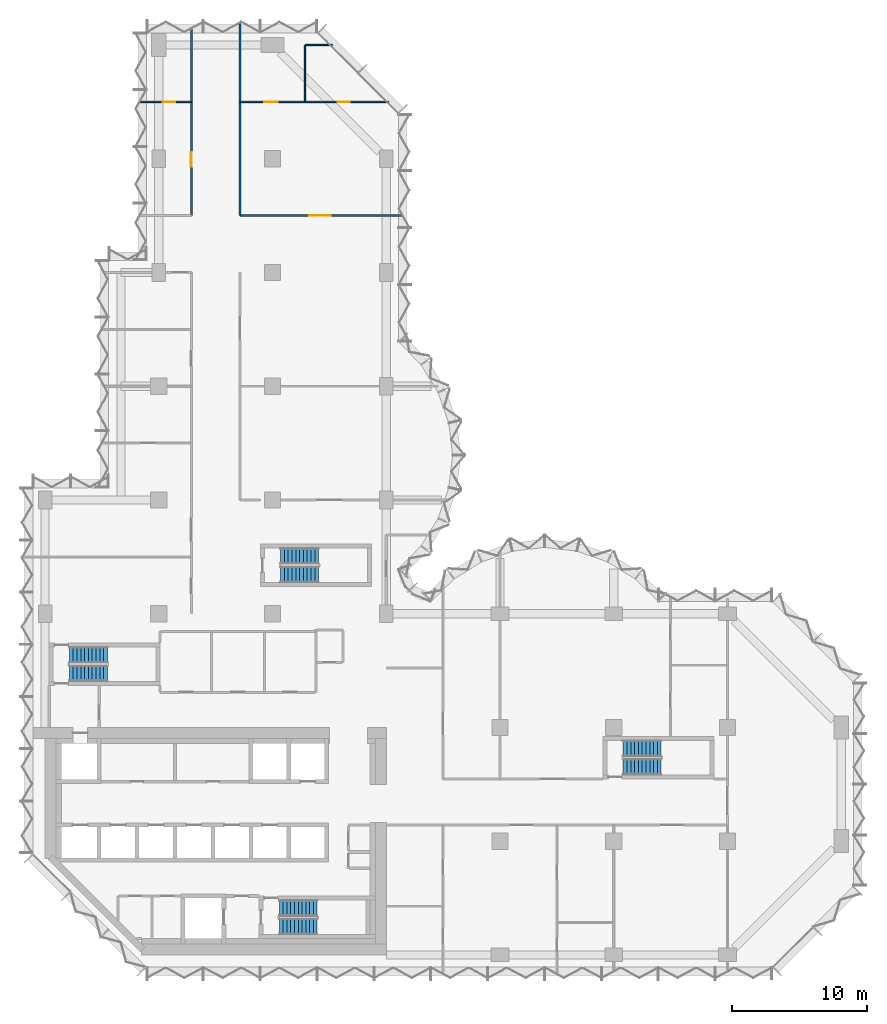
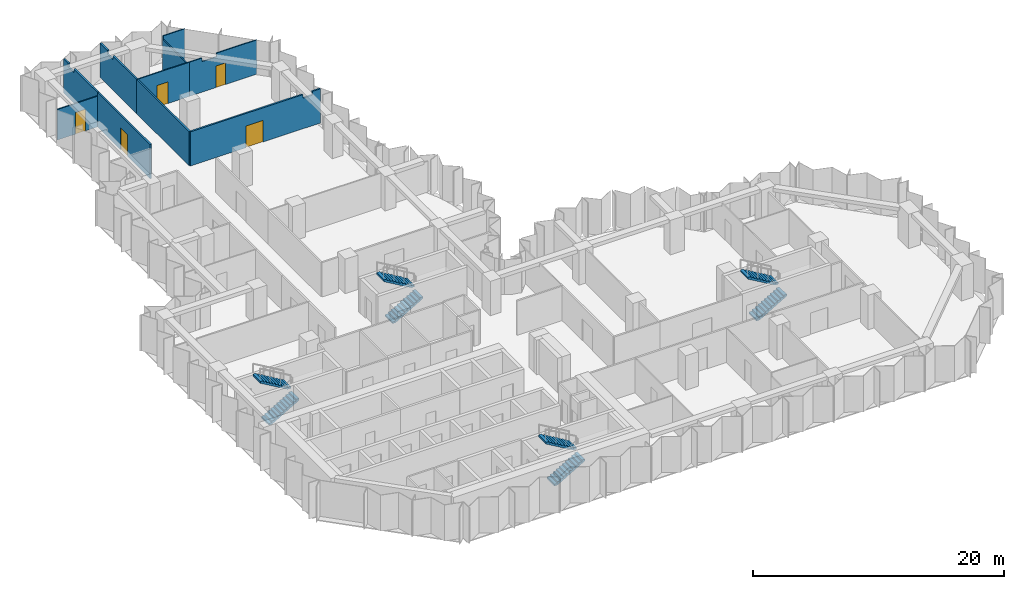
# One storey, part 9 of 11: 10 walls, 8 stair flights, 5 doors, 5 openings, 4 elements without a shape of their own.
"""IFC4 building model written with IfcOpenShell, lengths in metres."""

from ifc_helpers import new_model, si_unit, direction, frame, frame_2d, origin, place, context, subcontext, project, spatial, polyline, rectangle, outline, extrude, material, layer, layer_set, type_object, element, fill, aggregate, save


model = new_model("IFC4")

# Units and contexts
model_context = context("Model", 3, precision=1e-05, world=origin(), true_north=direction((0.0, 1.0)))
body_context = subcontext(model_context, "Body", "Model", "MODEL_VIEW")
ifc_project = project(units=[si_unit("LENGTHUNIT", "METRE"), si_unit("AREAUNIT", "SQUARE_METRE"), si_unit("VOLUMEUNIT", "CUBIC_METRE"), si_unit("PLANEANGLEUNIT", "RADIAN"), si_unit("MASSUNIT", "GRAM", prefix="KILO")], contexts=[model_context])

# Site, building, storey
site_placement = place(None, origin())
site = spatial("IfcSite", under=ifc_project, at=site_placement, CompositionType="ELEMENT")
building_placement = place(site_placement, origin())
building = spatial("IfcBuilding", under=site, at=building_placement, Name="Brevane Broadcast Tower", CompositionType="ELEMENT")
storey_placement = place(building_placement, frame((0.0, 0.0, 138.5)))
storey = spatial("IfcBuildingStorey", under=building, at=storey_placement, Name="L34", CompositionType="ELEMENT", Elevation=138.5)

# Wall, opening, door
ifc_material_1 = material(Name="Gypsum board partition")
ifc_layer_1 = layer(ifc_material_1, 0.10009765625)
ifc_layer_set_1 = layer_set([ifc_layer_1], Name="PARTITION 100 STUD")
wall_type_1 = type_object("IfcWallType", Name="PARTITION 100 STUD", PredefinedType="PARTITIONING", material=ifc_layer_set_1)
wall_1_placement = place(storey_placement, frame((7.034912109375, 63.0, 0.0), z_axis=(0.0, 0.0, 1.0), x_axis=(1.0, 0.0, 0.0)))
wall_1 = element("IfcWall", 1, at=wall_1_placement, inside=storey, type_object=wall_type_1, Name="Partition G10-060", PredefinedType="PARTITIONING", context=body_context, shape_type="SweptSolid", body=[
    extrude(rectangle(XDim=3.76513671875, YDim=0.10009765625, at=frame_2d((1.882568359375, 0.0))), origin(), (0.0, 0.0, 1.0), 2.97998046875),
])
opening_1_placement = place(wall_1_placement, frame((1.6650390625, 0.0, 0.0)))
opening_1 = element("IfcOpeningElement", 2, at=opening_1_placement, cuts=wall_1, Name="Opening D17-019", PredefinedType="OPENING", context=body_context, shape_type="SweptSolid", body=[
    extrude(rectangle(XDim=0.89990234375, YDim=2.10009765625, at=frame_2d((0.449951171875, 1.050048828125))), frame((0.0, 0.06005859375, 0.0), z_axis=(0.0, -1.0, 0.0), x_axis=(1.0, 0.0, 0.0)), (0.0, 0.0, 1.0), 0.1201171875),
])
ifc_material_2 = material(Name="Timber door leaf", Category="wood")
door_type_1 = type_object("IfcDoorType", Name="DOOR SINGLE 900 INTERNAL", OperationType="SINGLE_SWING_LEFT", PredefinedType="DOOR", material=ifc_material_2)
door_1_placement = place(opening_1_placement, origin())
door_1 = element("IfcDoor", 3, at=door_1_placement, inside=storey, type_object=door_type_1, Name="Door D17-019", OperationType="SINGLE_SWING_LEFT", OverallHeight=2.10009765625, OverallWidth=0.89990234375, PredefinedType="DOOR", context=body_context, shape_type="SweptSolid", body=[
    extrude(rectangle(XDim=0.89990234375, YDim=2.10009765625, at=frame_2d((0.449951171875, 1.050048828125))), frame((0.0, 0.02490234375, 0.0), z_axis=(0.0, -1.0, 0.0), x_axis=(1.0, 0.0, 0.0)), (0.0, 0.0, 1.0), 0.050048828125),
])
fill(opening_1, door_1)

wall_2_placement = place(storey_placement, frame((14.39990234375, 63.0, 0.0), z_axis=(0.0, 0.0, 1.0), x_axis=(1.0, 0.0, 0.0)))
wall_2 = element("IfcWall", 4, at=wall_2_placement, inside=storey, type_object=wall_type_1, Name="Partition G10-065", PredefinedType="PARTITIONING", context=body_context, shape_type="SweptSolid", body=[
    extrude(rectangle(XDim=4.800048828125, YDim=0.10009765625, at=frame_2d((2.39990234375, 0.0))), origin(), (0.0, 0.0, 1.0), 3.330078125),
])
opening_2_placement = place(wall_2_placement, frame((1.800048828125, 0.0, 0.0)))
opening_2 = element("IfcOpeningElement", 5, at=opening_2_placement, cuts=wall_2, Name="Opening D17-023", PredefinedType="OPENING", context=body_context, shape_type="SweptSolid", body=[
    extrude(rectangle(XDim=1.0, YDim=2.10009765625, at=frame_2d((0.5, 1.050048828125))), frame((0.0, 0.06005859375, 0.0), z_axis=(0.0, -1.0, 0.0), x_axis=(1.0, 0.0, 0.0)), (0.0, 0.0, 1.0), 0.1201171875),
])
door_type_2 = type_object("IfcDoorType", Name="DOOR SINGLE 1000 INTERNAL", OperationType="SINGLE_SWING_LEFT", PredefinedType="DOOR", material=ifc_material_2)
door_2_placement = place(opening_2_placement, origin())
door_2 = element("IfcDoor", 6, at=door_2_placement, inside=storey, type_object=door_type_2, Name="Door D17-023", OperationType="SINGLE_SWING_LEFT", OverallHeight=2.10009765625, OverallWidth=1.0, PredefinedType="DOOR", context=body_context, shape_type="SweptSolid", body=[
    extrude(rectangle(XDim=1.0, YDim=2.10009765625, at=frame_2d((0.5, 1.050048828125))), frame((0.0, 0.02490234375, 0.0), z_axis=(0.0, -1.0, 0.0), x_axis=(1.0, 0.0, 0.0)), (0.0, 0.0, 1.0), 0.050048828125),
])
fill(opening_2, door_2)

wall_3_placement = place(storey_placement, frame((19.199951171875, 63.0, 0.0), z_axis=(0.0, 0.0, 1.0), x_axis=(1.0, 0.0, 0.0)))
wall_3 = element("IfcWall", 7, at=wall_3_placement, inside=storey, type_object=wall_type_1, Name="Partition G10-066", PredefinedType="PARTITIONING", context=body_context, shape_type="SweptSolid", body=[
    extrude(outline(polyline([(0.0, 0.0), (6.199951171875, 0.0), (6.199951171875, 3.330078125), (2.465576171875, 3.330078125), (2.463623046875, 2.97998046875), (1.13623046875, 2.97998046875), (1.13427734375, 3.330078125), (0.0, 3.330078125), (0.0, 0.0)])), frame((0.0, 0.050048828125, 0.0), z_axis=(0.0, -1.0, 0.0), x_axis=(1.0, 0.0, 0.0)), (0.0, 0.0, 1.0), 0.10009765625),
])
opening_3_placement = place(wall_3_placement, frame((2.39990234375, 0.0, 0.0)))
opening_3 = element("IfcOpeningElement", 8, at=opening_3_placement, cuts=wall_3, Name="Opening D17-024", PredefinedType="OPENING", context=body_context, shape_type="SweptSolid", body=[
    extrude(rectangle(XDim=0.89990234375, YDim=2.10009765625, at=frame_2d((0.449951171875, 1.050048828125))), frame((0.0, 0.06005859375, 0.0), z_axis=(0.0, -1.0, 0.0), x_axis=(1.0, 0.0, 0.0)), (0.0, 0.0, 1.0), 0.1201171875),
])
door_3_placement = place(opening_3_placement, origin())
door_3 = element("IfcDoor", 9, at=door_3_placement, inside=storey, type_object=door_type_1, Name="Door D17-024", OperationType="SINGLE_SWING_LEFT", OverallHeight=2.10009765625, OverallWidth=0.89990234375, PredefinedType="DOOR", context=body_context, shape_type="SweptSolid", body=[
    extrude(rectangle(XDim=0.89990234375, YDim=2.10009765625, at=frame_2d((0.449951171875, 1.050048828125))), frame((0.0, 0.02490234375, 0.0), z_axis=(0.0, -1.0, 0.0), x_axis=(1.0, 0.0, 0.0)), (0.0, 0.0, 1.0), 0.050048828125),
])
fill(opening_3, door_3)

# Walls
wall_4_placement = place(storey_placement, frame((21.199951171875, 67.199951171875, 0.0), z_axis=(0.0, 0.0, 1.0), x_axis=(-1.0, 0.0, 0.0)))
element("IfcWall", 10, at=wall_4_placement, inside=storey, type_object=wall_type_1, Name="Partition G10-067", PredefinedType="PARTITIONING", context=body_context, shape_type="SweptSolid", body=[
    extrude(rectangle(XDim=2.0, YDim=0.10009765625, at=frame_2d((1.0, 0.0))), origin(), (0.0, 0.0, 1.0), 3.330078125),
])
wall_5_placement = place(storey_placement, frame((19.199951171875, 67.199951171875, 0.0), z_axis=(0.0, 0.0, 1.0), x_axis=(0.0, -1.0, 0.0)))
element("IfcWall", 11, at=wall_5_placement, inside=storey, type_object=wall_type_1, Name="Partition G10-068", PredefinedType="PARTITIONING", context=body_context, shape_type="SweptSolid", body=[
    extrude(rectangle(XDim=4.199951171875, YDim=0.10009765625, at=frame_2d((2.10009765625, 0.0))), origin(), (0.0, 0.0, 1.0), 2.97998046875),
])

# Wall, opening, door
ifc_layer_2 = layer(ifc_material_1, 0.14990234375)
ifc_layer_set_2 = layer_set([ifc_layer_2], Name="PARTITION 150 EI 60")
wall_type_2 = type_object("IfcWallType", Name="PARTITION 150 EI 60", PredefinedType="PARTITIONING", material=ifc_layer_set_2)
wall_6_placement = place(storey_placement, frame((10.800048828125, 54.60009765625, 0.0), z_axis=(0.0, 0.0, 1.0), x_axis=(0.0, 1.0, 0.0)))
wall_6 = element("IfcWall", 12, at=wall_6_placement, inside=storey, type_object=wall_type_2, Name="Partition G10-046", PredefinedType="PARTITIONING", context=body_context, shape_type="SweptSolid", body=[
    extrude(rectangle(XDim=8.39990234375, YDim=0.14990234375, at=frame_2d((4.199951171875, 0.0))), origin(), (0.0, 0.0, 1.0), 3.330078125),
])
opening_4_placement = place(wall_6_placement, frame((3.60009765625, 0.0, 0.0)))
opening_4 = element("IfcOpeningElement", 13, at=opening_4_placement, cuts=wall_6, Name="Opening D17-018", PredefinedType="OPENING", context=body_context, shape_type="SweptSolid", body=[
    extrude(rectangle(XDim=1.10009765625, YDim=2.10009765625, at=frame_2d((0.550048828125, 1.050048828125))), frame((0.0, 0.0849609375, 0.0), z_axis=(0.0, -1.0, 0.0), x_axis=(1.0, 0.0, 0.0)), (0.0, 0.0, 1.0), 0.169921875),
])
ifc_material_3 = material(Name="Fire-rated timber door leaf", Category="wood")
door_type_3 = type_object("IfcDoorType", Name="DOOR SINGLE 1100 FD30S", OperationType="SINGLE_SWING_LEFT", PredefinedType="DOOR", material=ifc_material_3)
door_4_placement = place(opening_4_placement, origin())
door_4 = element("IfcDoor", 14, at=door_4_placement, inside=storey, type_object=door_type_3, Name="Door D17-018", OperationType="SINGLE_SWING_LEFT", OverallHeight=2.10009765625, OverallWidth=1.10009765625, PredefinedType="DOOR", context=body_context, shape_type="SweptSolid", body=[
    extrude(rectangle(XDim=1.10009765625, YDim=2.10009765625, at=frame_2d((0.550048828125, 1.050048828125))), frame((0.0, 0.02490234375, 0.0), z_axis=(0.0, -1.0, 0.0), x_axis=(1.0, 0.0, 0.0)), (0.0, 0.0, 1.0), 0.050048828125),
])
fill(opening_4, door_4)

# Walls
wall_7_placement = place(storey_placement, frame((10.800048828125, 63.0, 0.0), z_axis=(0.0, 0.0, 1.0), x_axis=(0.0, 1.0, 0.0)))
element("IfcWall", 15, at=wall_7_placement, inside=storey, type_object=wall_type_2, Name="Partition G10-047", PredefinedType="PARTITIONING", context=body_context, shape_type="SweptSolid", body=[
    extrude(outline(polyline([(0.0, 0.0), (5.3740234375, 0.0), (5.3740234375, 3.330078125), (5.280029296875, 3.330078125), (4.64990234375, 3.330078125), (4.64794921875, 2.97998046875), (3.751953125, 2.97998046875), (3.75, 3.330078125), (0.0, 3.330078125), (0.0, 0.0)])), frame((0.0, 0.074951171875, 0.0), z_axis=(0.0, -1.0, 0.0), x_axis=(1.0, 0.0, 0.0)), (0.0, 0.0, 1.0), 0.14990234375),
])
wall_8_placement = place(storey_placement, frame((14.39990234375, 63.0, 0.0), z_axis=(0.0, 0.0, 1.0), x_axis=(0.0, -1.0, 0.0)))
element("IfcWall", 16, at=wall_8_placement, inside=storey, type_object=wall_type_2, Name="Partition G10-050", PredefinedType="PARTITIONING", context=body_context, shape_type="SweptSolid", body=[
    extrude(rectangle(XDim=8.39990234375, YDim=0.14990234375, at=frame_2d((4.199951171875, 0.0))), origin(), (0.0, 0.0, 1.0), 3.330078125),
])
wall_9_placement = place(storey_placement, frame((14.39990234375, 68.7939453125, 0.0), z_axis=(0.0, 0.0, 1.0), x_axis=(0.0, -1.0, 0.0)))
element("IfcWall", 17, at=wall_9_placement, inside=storey, type_object=wall_type_2, Name="Partition G10-051", PredefinedType="PARTITIONING", context=body_context, shape_type="SweptSolid", body=[
    extrude(outline(polyline([(0.0, 0.0), (5.7939453125, 0.0), (5.7939453125, 3.330078125), (2.0439453125, 3.330078125), (2.0419921875, 2.97998046875), (1.14599609375, 2.97998046875), (1.14404296875, 3.330078125), (0.513916015625, 3.330078125), (0.0, 3.330078125), (0.0, 0.0)])), frame((0.0, 0.074951171875, 0.0), z_axis=(0.0, -1.0, 0.0), x_axis=(1.0, 0.0, 0.0)), (0.0, 0.0, 1.0), 0.14990234375),
])

# Wall, opening, door
wall_10_placement = place(storey_placement, frame((14.39990234375, 54.60009765625, 0.0), z_axis=(0.0, 0.0, 1.0), x_axis=(1.0, 0.0, 0.0)))
wall_10 = element("IfcWall", 18, at=wall_10_placement, inside=storey, type_object=wall_type_2, Name="Partition G10-061", PredefinedType="PARTITIONING", context=body_context, shape_type="SweptSolid", body=[
    extrude(outline(polyline([(0.0, 0.0), (11.97412109375, 0.0), (11.97412109375, 3.330078125), (11.89990234375, 3.330078125), (11.25, 3.330078125), (11.248046875, 2.97998046875), (10.35205078125, 2.97998046875), (10.35009765625, 3.330078125), (0.0, 3.330078125), (0.0, 0.0)])), frame((0.0, 0.074951171875, 0.0), z_axis=(0.0, -1.0, 0.0), x_axis=(1.0, 0.0, 0.0)), (0.0, 0.0, 1.0), 0.14990234375),
])
opening_5_placement = place(wall_10_placement, frame((5.10009765625, 0.0, 0.0)))
opening_5 = element("IfcOpeningElement", 19, at=opening_5_placement, cuts=wall_10, Name="Opening D17-022", PredefinedType="OPENING", context=body_context, shape_type="SweptSolid", body=[
    extrude(rectangle(XDim=1.60009765625, YDim=2.10009765625, at=frame_2d((0.800048828125, 1.050048828125))), frame((0.0, 0.0849609375, 0.0), z_axis=(0.0, -1.0, 0.0), x_axis=(1.0, 0.0, 0.0)), (0.0, 0.0, 1.0), 0.169921875),
])
door_type_4 = type_object("IfcDoorType", Name="DOOR DOUBLE 1600 FD30S", OperationType="DOUBLE_DOOR_SINGLE_SWING", PredefinedType="DOOR", material=ifc_material_3)
door_5_placement = place(opening_5_placement, origin())
door_5 = element("IfcDoor", 20, at=door_5_placement, inside=storey, type_object=door_type_4, Name="Door D17-022", OperationType="DOUBLE_DOOR_SINGLE_SWING", OverallHeight=2.10009765625, OverallWidth=1.60009765625, PredefinedType="DOOR", context=body_context, shape_type="SweptSolid", body=[
    extrude(rectangle(XDim=1.60009765625, YDim=2.10009765625, at=frame_2d((0.800048828125, 1.050048828125))), frame((0.0, 0.02490234375, 0.0), z_axis=(0.0, -1.0, 0.0), x_axis=(1.0, 0.0, 0.0)), (0.0, 0.0, 1.0), 0.050048828125),
])
fill(opening_5, door_5)

# Stair, stair flights
ifc_material_4 = material(Name="Concrete C50/60", Category="concrete")
stair_type = type_object("IfcStairType", Name="Exit stair 22 risers", PredefinedType="HALF_TURN_STAIR", material=ifc_material_4)
stair_1_placement = place(storey_placement, origin())
stair_1 = element("IfcStair", 21, at=stair_1_placement, inside=storey, type_object=stair_type, Name="L34 Exit stair ST-1", PredefinedType="HALF_TURN_STAIR")
stair_flight_type = type_object("IfcStairFlightType", Name="Exit stair flight 22 risers", PredefinedType="STRAIGHT", material=ifc_material_4)
stair_flight_1_placement = place(storey_placement, frame((1.800048828125, 20.800048828125, 0.0), z_axis=(0.0, 0.0, 1.0), x_axis=(1.0, 0.0, 0.0)))
stair_flight_1 = element("IfcStairFlight", 22, at=stair_flight_1_placement, type_object=stair_flight_type, Name="ST-1 flight 1", NumberOfRisers=11, NumberOfTreads=10, PredefinedType="STRAIGHT", RiserHeight=0.163636364, TreadLength=0.28, context=body_context, shape_type="SweptSolid", body=[
    extrude(outline(polyline([(0.0, 0.0), (0.0, 0.16357421875), (0.280029296875, 0.16357421875), (0.280029296875, 0.327392578125), (0.56005859375, 0.327392578125), (0.56005859375, 0.490966796875), (0.840087890625, 0.490966796875), (0.840087890625, 0.654541015625), (1.1201171875, 0.654541015625), (1.1201171875, 0.818115234375), (1.39990234375, 0.818115234375), (1.39990234375, 0.98193359375), (1.679931640625, 0.98193359375), (1.679931640625, 1.1455078125), (1.9599609375, 1.1455078125), (1.9599609375, 1.30908203125), (2.239990234375, 1.30908203125), (2.239990234375, 1.47265625), (2.52001953125, 1.47265625), (2.52001953125, 1.636474609375), (2.800048828125, 1.636474609375), (2.800048828125, 1.800048828125), (2.800048828125, 1.462646484375), (0.297119140625, 0.0), (0.0, 0.0)])), frame((0.0, 0.60009765625, 0.0), z_axis=(0.0, -1.0, 0.0), x_axis=(1.0, 0.0, 0.0)), (0.0, 0.0, 1.0), 1.199951171875),
])
stair_flight_2_placement = place(storey_placement, frame((4.60009765625, 22.14990234375, 1.800048828125), z_axis=(0.0, 0.0, 1.0), x_axis=(-1.0, 0.0, 0.0)))
stair_flight_2 = element("IfcStairFlight", 23, at=stair_flight_2_placement, type_object=stair_flight_type, Name="ST-1 flight 2", NumberOfRisers=11, NumberOfTreads=10, PredefinedType="STRAIGHT", RiserHeight=0.163636364, TreadLength=0.28, context=body_context, shape_type="SweptSolid", body=[
    extrude(outline(polyline([(0.0, 0.0), (0.0, 0.16357421875), (0.280029296875, 0.16357421875), (0.280029296875, 0.327392578125), (0.56005859375, 0.327392578125), (0.56005859375, 0.490966796875), (0.840087890625, 0.490966796875), (0.840087890625, 0.654541015625), (1.1201171875, 0.654541015625), (1.1201171875, 0.818115234375), (1.39990234375, 0.818115234375), (1.39990234375, 0.98193359375), (1.679931640625, 0.98193359375), (1.679931640625, 1.1455078125), (1.9599609375, 1.1455078125), (1.9599609375, 1.30908203125), (2.239990234375, 1.30908203125), (2.239990234375, 1.47265625), (2.52001953125, 1.47265625), (2.52001953125, 1.636474609375), (2.800048828125, 1.636474609375), (2.800048828125, 1.800048828125), (2.800048828125, 1.462646484375), (0.297119140625, 0.0), (0.0, 0.0)])), frame((0.0, 0.60009765625, 0.0), z_axis=(0.0, -1.0, 0.0), x_axis=(1.0, 0.0, 0.0)), (0.0, 0.0, 1.0), 1.199951171875),
])
aggregate(stair_1, [stair_flight_1, stair_flight_2])

stair_2_placement = place(storey_placement, origin())
stair_2 = element("IfcStair", 24, at=stair_2_placement, inside=storey, type_object=stair_type, Name="L34 Exit stair ST-2", PredefinedType="HALF_TURN_STAIR")
stair_flight_3_placement = place(storey_placement, frame((17.300048828125, 2.10009765625, 0.0), z_axis=(0.0, 0.0, 1.0), x_axis=(1.0, 0.0, 0.0)))
stair_flight_3 = element("IfcStairFlight", 25, at=stair_flight_3_placement, type_object=stair_flight_type, Name="ST-2 flight 1", NumberOfRisers=11, NumberOfTreads=10, PredefinedType="STRAIGHT", RiserHeight=0.163636364, TreadLength=0.28, context=body_context, shape_type="SweptSolid", body=[
    extrude(outline(polyline([(0.0, 0.0), (0.0, 0.16357421875), (0.280029296875, 0.16357421875), (0.280029296875, 0.327392578125), (0.56005859375, 0.327392578125), (0.56005859375, 0.490966796875), (0.840087890625, 0.490966796875), (0.840087890625, 0.654541015625), (1.1201171875, 0.654541015625), (1.1201171875, 0.818115234375), (1.39990234375, 0.818115234375), (1.39990234375, 0.98193359375), (1.679931640625, 0.98193359375), (1.679931640625, 1.1455078125), (1.9599609375, 1.1455078125), (1.9599609375, 1.30908203125), (2.239990234375, 1.30908203125), (2.239990234375, 1.47265625), (2.52001953125, 1.47265625), (2.52001953125, 1.636474609375), (2.800048828125, 1.636474609375), (2.800048828125, 1.800048828125), (2.800048828125, 1.462646484375), (0.297119140625, 0.0), (0.0, 0.0)])), frame((0.0, 0.60009765625, 0.0), z_axis=(0.0, -1.0, 0.0), x_axis=(1.0, 0.0, 0.0)), (0.0, 0.0, 1.0), 1.199951171875),
])
stair_flight_4_placement = place(storey_placement, frame((20.10009765625, 3.449951171875, 1.800048828125), z_axis=(0.0, 0.0, 1.0), x_axis=(-1.0, 0.0, 0.0)))
stair_flight_4 = element("IfcStairFlight", 26, at=stair_flight_4_placement, type_object=stair_flight_type, Name="ST-2 flight 2", NumberOfRisers=11, NumberOfTreads=10, PredefinedType="STRAIGHT", RiserHeight=0.163636364, TreadLength=0.28, context=body_context, shape_type="SweptSolid", body=[
    extrude(outline(polyline([(0.0, 0.0), (0.0, 0.16357421875), (0.280029296875, 0.16357421875), (0.280029296875, 0.327392578125), (0.56005859375, 0.327392578125), (0.56005859375, 0.490966796875), (0.840087890625, 0.490966796875), (0.840087890625, 0.654541015625), (1.1201171875, 0.654541015625), (1.1201171875, 0.818115234375), (1.39990234375, 0.818115234375), (1.39990234375, 0.98193359375), (1.679931640625, 0.98193359375), (1.679931640625, 1.1455078125), (1.9599609375, 1.1455078125), (1.9599609375, 1.30908203125), (2.239990234375, 1.30908203125), (2.239990234375, 1.47265625), (2.52001953125, 1.47265625), (2.52001953125, 1.636474609375), (2.800048828125, 1.636474609375), (2.800048828125, 1.800048828125), (2.800048828125, 1.462646484375), (0.297119140625, 0.0), (0.0, 0.0)])), frame((0.0, 0.60009765625, 0.0), z_axis=(0.0, -1.0, 0.0), x_axis=(1.0, 0.0, 0.0)), (0.0, 0.0, 1.0), 1.199951171875),
])
aggregate(stair_2, [stair_flight_3, stair_flight_4])

stair_3_placement = place(storey_placement, origin())
stair_3 = element("IfcStair", 27, at=stair_3_placement, inside=storey, type_object=stair_type, Name="L34 Exit stair ST-3", PredefinedType="HALF_TURN_STAIR")
stair_flight_5_placement = place(storey_placement, frame((17.39990234375, 28.10009765625, 0.0), z_axis=(0.0, 0.0, 1.0), x_axis=(1.0, 0.0, 0.0)))
stair_flight_5 = element("IfcStairFlight", 28, at=stair_flight_5_placement, type_object=stair_flight_type, Name="ST-3 flight 1", NumberOfRisers=11, NumberOfTreads=10, PredefinedType="STRAIGHT", RiserHeight=0.163636364, TreadLength=0.28, context=body_context, shape_type="SweptSolid", body=[
    extrude(outline(polyline([(0.0, 0.0), (0.0, 0.16357421875), (0.280029296875, 0.16357421875), (0.280029296875, 0.327392578125), (0.56005859375, 0.327392578125), (0.56005859375, 0.490966796875), (0.840087890625, 0.490966796875), (0.840087890625, 0.654541015625), (1.1201171875, 0.654541015625), (1.1201171875, 0.818115234375), (1.39990234375, 0.818115234375), (1.39990234375, 0.98193359375), (1.679931640625, 0.98193359375), (1.679931640625, 1.1455078125), (1.9599609375, 1.1455078125), (1.9599609375, 1.30908203125), (2.239990234375, 1.30908203125), (2.239990234375, 1.47265625), (2.52001953125, 1.47265625), (2.52001953125, 1.636474609375), (2.800048828125, 1.636474609375), (2.800048828125, 1.800048828125), (2.800048828125, 1.462646484375), (0.297119140625, 0.0), (0.0, 0.0)])), frame((0.0, 0.60009765625, 0.0), z_axis=(0.0, -1.0, 0.0), x_axis=(1.0, 0.0, 0.0)), (0.0, 0.0, 1.0), 1.199951171875),
])
stair_flight_6_placement = place(storey_placement, frame((20.199951171875, 29.449951171875, 1.800048828125), z_axis=(0.0, 0.0, 1.0), x_axis=(-1.0, 0.0, 0.0)))
stair_flight_6 = element("IfcStairFlight", 29, at=stair_flight_6_placement, type_object=stair_flight_type, Name="ST-3 flight 2", NumberOfRisers=11, NumberOfTreads=10, PredefinedType="STRAIGHT", RiserHeight=0.163636364, TreadLength=0.28, context=body_context, shape_type="SweptSolid", body=[
    extrude(outline(polyline([(0.0, 0.0), (0.0, 0.16357421875), (0.280029296875, 0.16357421875), (0.280029296875, 0.327392578125), (0.56005859375, 0.327392578125), (0.56005859375, 0.490966796875), (0.840087890625, 0.490966796875), (0.840087890625, 0.654541015625), (1.1201171875, 0.654541015625), (1.1201171875, 0.818115234375), (1.39990234375, 0.818115234375), (1.39990234375, 0.98193359375), (1.679931640625, 0.98193359375), (1.679931640625, 1.1455078125), (1.9599609375, 1.1455078125), (1.9599609375, 1.30908203125), (2.239990234375, 1.30908203125), (2.239990234375, 1.47265625), (2.52001953125, 1.47265625), (2.52001953125, 1.636474609375), (2.800048828125, 1.636474609375), (2.800048828125, 1.800048828125), (2.800048828125, 1.462646484375), (0.297119140625, 0.0), (0.0, 0.0)])), frame((0.0, 0.60009765625, 0.0), z_axis=(0.0, -1.0, 0.0), x_axis=(1.0, 0.0, 0.0)), (0.0, 0.0, 1.0), 1.199951171875),
])
aggregate(stair_3, [stair_flight_5, stair_flight_6])

stair_4_placement = place(storey_placement, origin())
stair_4 = element("IfcStair", 30, at=stair_4_placement, inside=storey, type_object=stair_type, Name="L34 Exit stair ST-4", PredefinedType="HALF_TURN_STAIR")
stair_flight_7_placement = place(storey_placement, frame((42.699951171875, 13.89990234375, 0.0), z_axis=(0.0, 0.0, 1.0), x_axis=(1.0, 0.0, 0.0)))
stair_flight_7 = element("IfcStairFlight", 31, at=stair_flight_7_placement, type_object=stair_flight_type, Name="ST-4 flight 1", NumberOfRisers=11, NumberOfTreads=10, PredefinedType="STRAIGHT", RiserHeight=0.163636364, TreadLength=0.28, context=body_context, shape_type="SweptSolid", body=[
    extrude(outline(polyline([(0.0, 0.0), (0.0, 0.16357421875), (0.280029296875, 0.16357421875), (0.280029296875, 0.327392578125), (0.56005859375, 0.327392578125), (0.56005859375, 0.490966796875), (0.840087890625, 0.490966796875), (0.840087890625, 0.654541015625), (1.1201171875, 0.654541015625), (1.1201171875, 0.818115234375), (1.39990234375, 0.818115234375), (1.39990234375, 0.98193359375), (1.679931640625, 0.98193359375), (1.679931640625, 1.1455078125), (1.9599609375, 1.1455078125), (1.9599609375, 1.30908203125), (2.239990234375, 1.30908203125), (2.239990234375, 1.47265625), (2.52001953125, 1.47265625), (2.52001953125, 1.636474609375), (2.800048828125, 1.636474609375), (2.800048828125, 1.800048828125), (2.800048828125, 1.462646484375), (0.297119140625, 0.0), (0.0, 0.0)])), frame((0.0, 0.60009765625, 0.0), z_axis=(0.0, -1.0, 0.0), x_axis=(1.0, 0.0, 0.0)), (0.0, 0.0, 1.0), 1.199951171875),
])
stair_flight_8_placement = place(storey_placement, frame((45.5, 15.25, 1.800048828125), z_axis=(0.0, 0.0, 1.0), x_axis=(-1.0, 0.0, 0.0)))
stair_flight_8 = element("IfcStairFlight", 32, at=stair_flight_8_placement, type_object=stair_flight_type, Name="ST-4 flight 2", NumberOfRisers=11, NumberOfTreads=10, PredefinedType="STRAIGHT", RiserHeight=0.163636364, TreadLength=0.28, context=body_context, shape_type="SweptSolid", body=[
    extrude(outline(polyline([(0.0, 0.0), (0.0, 0.16357421875), (0.280029296875, 0.16357421875), (0.280029296875, 0.327392578125), (0.56005859375, 0.327392578125), (0.56005859375, 0.490966796875), (0.840087890625, 0.490966796875), (0.840087890625, 0.654541015625), (1.1201171875, 0.654541015625), (1.1201171875, 0.818115234375), (1.39990234375, 0.818115234375), (1.39990234375, 0.98193359375), (1.679931640625, 0.98193359375), (1.679931640625, 1.1455078125), (1.9599609375, 1.1455078125), (1.9599609375, 1.30908203125), (2.239990234375, 1.30908203125), (2.239990234375, 1.47265625), (2.52001953125, 1.47265625), (2.52001953125, 1.636474609375), (2.800048828125, 1.636474609375), (2.800048828125, 1.800048828125), (2.800048828125, 1.462646484375), (0.297119140625, 0.0), (0.0, 0.0)])), frame((0.0, 0.60009765625, 0.0), z_axis=(0.0, -1.0, 0.0), x_axis=(1.0, 0.0, 0.0)), (0.0, 0.0, 1.0), 1.199951171875),
])
aggregate(stair_4, [stair_flight_7, stair_flight_8])

save(model, "model.ifc")
